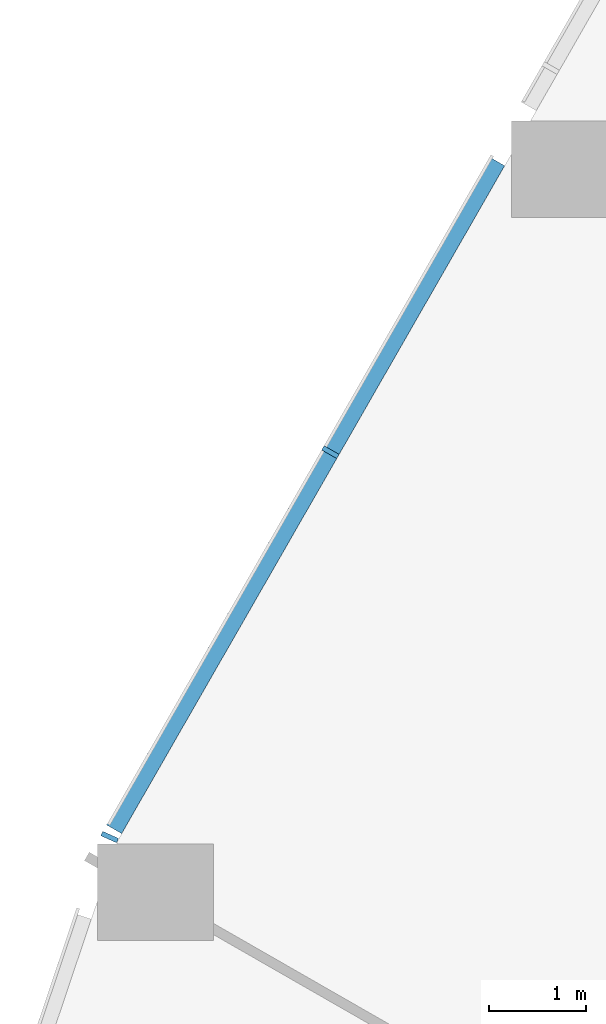
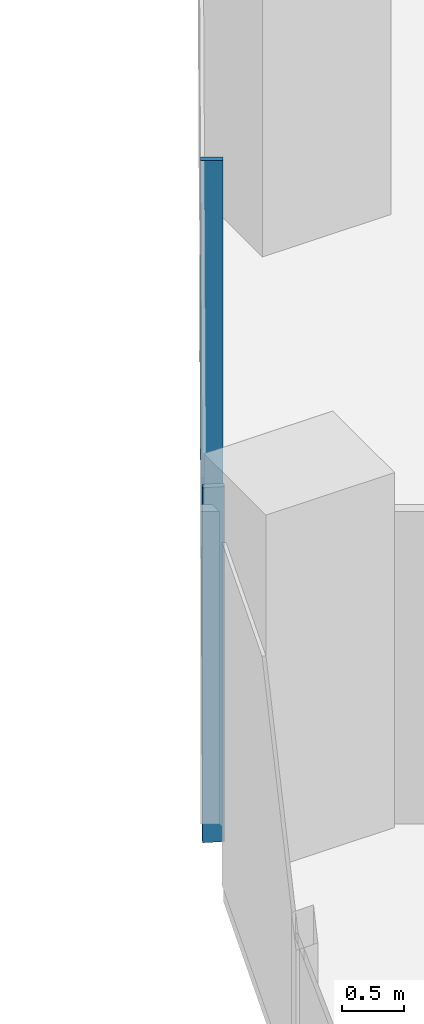
# One storey, part 4 of 34: 3 members, 1 element without a shape of its own.
"""IFC4 building model written with IfcOpenShell, lengths in metres."""

from ifc_helpers import new_model, si_unit, direction, frame, origin, origin_2d, place, context, subcontext, project, spatial, rectangle, extrude, material, material_profile, profile_set, type_object, element, aggregate, save


model = new_model("IFC4")

# Units and contexts
model_context = context("Model", 3, precision=1e-05, world=origin(), true_north=direction((0.0, 1.0)))
body_context = subcontext(model_context, "Body", "Model", "MODEL_VIEW")
ifc_project = project(units=[si_unit("LENGTHUNIT", "METRE"), si_unit("AREAUNIT", "SQUARE_METRE"), si_unit("VOLUMEUNIT", "CUBIC_METRE"), si_unit("PLANEANGLEUNIT", "RADIAN"), si_unit("MASSUNIT", "GRAM", prefix="KILO")], contexts=[model_context])

# Site, building, storey
site_placement = place(None, origin())
site = spatial("IfcSite", under=ifc_project, at=site_placement, CompositionType="ELEMENT")
building_placement = place(site_placement, origin())
building = spatial("IfcBuilding", under=site, at=building_placement, Name="Orlundy Tower", CompositionType="ELEMENT")
storey_placement = place(building_placement, frame((0.0, 0.0, 112.699951171875)))
storey = spatial("IfcBuildingStorey", under=building, at=storey_placement, Name="L28", CompositionType="ELEMENT", Elevation=112.699951171875)

# Curtain wall, members
ifc_material_1 = material(Name="Aluminium bronze anodised", Category="aluminium")
curtain_wall_type = type_object("IfcCurtainWallType", Name="CW1 wall", PredefinedType="NOTDEFINED", material=ifc_material_1)
curtain_wall_placement = place(storey_placement, origin())
curtain_wall = element("IfcCurtainWall", 1, at=curtain_wall_placement, inside=storey, type_object=curtain_wall_type, Name="CW1 run 012", PredefinedType="NOTDEFINED")
ifc_material_2 = material(Name="Aluminium bronze anodised", Category="aluminium")
ifc_material_profile_1 = material_profile(ifc_material_2, rectangle(XDim=0.179931640625, YDim=0.050048828125, at=origin_2d()), Name="CW1 mullion 50x180")
ifc_profile_set_1 = profile_set([ifc_material_profile_1], Name="Aluminium bronze anodised")
member_type_1 = type_object("IfcMemberType", Name="CW1 mullion 50x180", PredefinedType="MULLION", material=ifc_profile_set_1)
member_1_placement = place(storey_placement, frame((-42.305419921875, -33.386962890625, -0.39990234375), z_axis=(0.0, 0.0, 1.0), x_axis=(-0.912034315786, 0.410113894948, 0.0)))
member_1 = element("IfcMember", 2, at=member_1_placement, type_object=member_type_1, Name="CW1 mullion 26", PredefinedType="MULLION", context=body_context, shape_type="SweptSolid", body=[
    extrude(rectangle(XDim=0.179931640625, YDim=0.050048828125, at=origin_2d()), origin(), (0.0, 0.0, 1.0), 3.5),
])
member_2_placement = place(storey_placement, frame((-40.018310546875, -29.398681640625, -0.39990234375), z_axis=(0.0, 0.0, 1.0), x_axis=(-0.867482152182, 0.497468306172, 0.0)))
member_2 = element("IfcMember", 3, at=member_2_placement, type_object=member_type_1, Name="CW1 mullion 27", PredefinedType="MULLION", context=body_context, shape_type="SweptSolid", body=[
    extrude(rectangle(XDim=0.179931640625, YDim=0.050048828125, at=origin_2d()), origin(), (0.0, 0.0, 1.0), 3.5),
])
ifc_material_3 = material(Name="Aluminium bronze anodised", Category="aluminium")
ifc_material_profile_2 = material_profile(ifc_material_3, rectangle(XDim=0.179931640625, YDim=0.1201171875, at=origin_2d()), Name="CW1 transom 180x120")
ifc_profile_set_2 = profile_set([ifc_material_profile_2], Name="Aluminium bronze anodised")
member_type_2 = type_object("IfcMemberType", Name="CW1 transom 180x120", PredefinedType="USERDEFINED", material=ifc_profile_set_2)
member_3_placement = place(storey_placement, frame((-42.259033203125, -33.305908203125, -0.33984375), z_axis=(0.497466731285, 0.867483055318, 0.0), x_axis=(-0.867483055318, 0.497466731285, 0.0)))
member_3 = element("IfcMember", 4, at=member_3_placement, type_object=member_type_2, Name="CW1 transom", ObjectType="TRANSOM", PredefinedType="USERDEFINED", context=body_context, shape_type="SweptSolid", body=[
    extrude(rectangle(XDim=0.179931640625, YDim=0.1201171875, at=origin_2d()), origin(), (0.0, 0.0, 1.0), 7.9765625),
])
aggregate(curtain_wall, [member_1, member_2, member_3])

save(model, "model.ifc")
